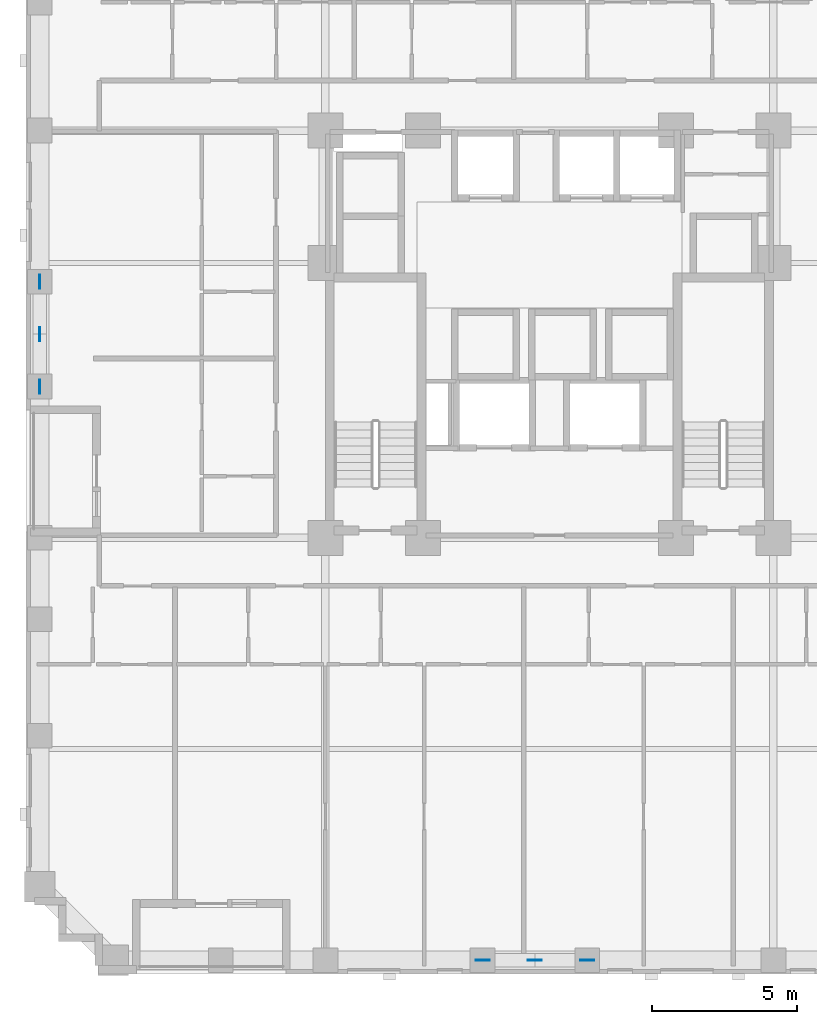
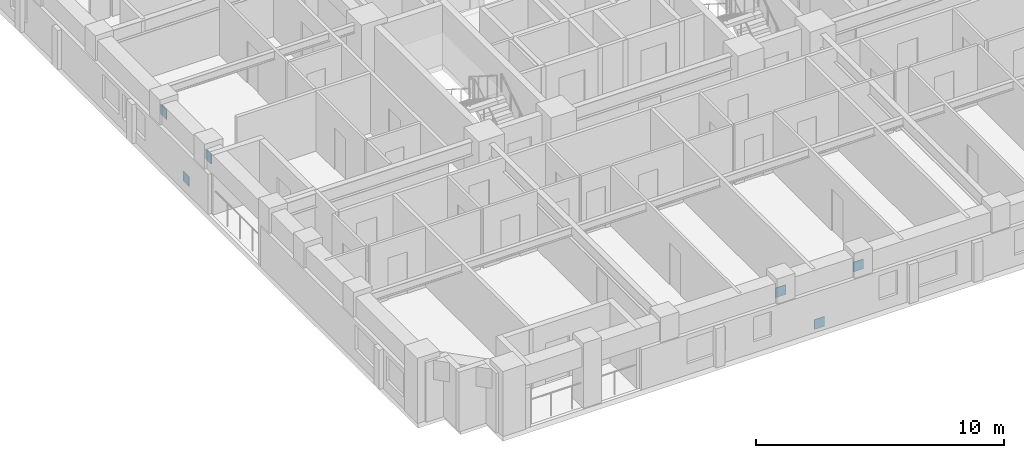
# One storey, part 10 of 14: 6 discrete accessories.
"""IFC4 building model written with IfcOpenShell, lengths in metres."""

import ifcopenshell
import ifcopenshell.guid

model = None  # the IFC model being written
_history = None  # IfcOwnerHistory: only IFC2X3 demands one
_inside = {}  # id of a spatial element -> (the spatial element, [elements in it])
_under = {}  # id of a project, library or spatial element -> (it, [spatial elements below it])
_declared = {}  # id of a project -> (the project, [libraries it declares])
_typed = {}  # id of a type object -> (the type object, [elements of that type])
_made_of = {}  # id of a material, layer set ... -> (it, [elements and type objects made of it])


def new_model(schema):
    """Start an empty IFC model of exactly this schema.

    Asked for "IFC4X3", IfcOpenShell would pick the latest addendum, in which some entities
    have other attributes; the version numbers below select the first issue.
    IFC2X3 requires an IfcOwnerHistory on every rooted entity: one is made here for all.
    """
    global model, _history
    if schema == "IFC4X3":
        model = ifcopenshell.file(schema_version=(4, 3, 0, 0))
    else:
        model = ifcopenshell.file(schema=schema)
    _inside.clear()
    _under.clear()
    _declared.clear()
    _typed.clear()
    _made_of.clear()
    _history = None
    if model.schema == "IFC2X3":
        org = make("IfcOrganization", Name="unknown")
        user = make(
            "IfcPersonAndOrganization",
            ThePerson=make("IfcPerson", FamilyName="unknown"),
            TheOrganization=org,
        )
        app = make(
            "IfcApplication",
            ApplicationDeveloper=org,
            Version="unknown",
            ApplicationFullName="unknown",
            ApplicationIdentifier="unknown",
        )
        _history = make(
            "IfcOwnerHistory",
            OwningUser=user,
            OwningApplication=app,
            ChangeAction="ADDED",
            CreationDate=0,
        )
    return model


def make(cls, **values):
    """One entity of the class cls with the attributes given. An attribute that is None is left unset."""
    return model.create_entity(
        cls, **{name: value for name, value in values.items() if value is not None}
    )


def rooted(cls, **values):
    """An entity with a GlobalId (a new one), such as an element, a storey or a relation."""
    return make(cls, GlobalId=ifcopenshell.guid.new(), OwnerHistory=_history, **values)


def si_unit(unit_type, name, prefix=None):
    """IfcSIUnit, for example si_unit("LENGTHUNIT", "METRE", prefix="MILLI")."""
    return make("IfcSIUnit", UnitType=unit_type, Prefix=prefix, Name=name)


def derived_unit(unit_type, elements):
    """IfcDerivedUnit: a product of units, each with its exponent."""
    return make(
        "IfcDerivedUnit",
        Elements=[
            make("IfcDerivedUnitElement", Unit=unit, Exponent=power)
            for unit, power in elements
        ],
        UnitType=unit_type,
    )


def assignment(units):
    """IfcUnitAssignment: the units of a project."""
    return None if units is None else make("IfcUnitAssignment", Units=units)


def point(xyz):
    """IfcCartesianPoint."""
    return None if xyz is None else make("IfcCartesianPoint", Coordinates=xyz)


def direction(xyz):
    """IfcDirection."""
    return None if xyz is None else make("IfcDirection", DirectionRatios=xyz)


def frame(location, z_axis=None, x_axis=None):
    """IfcAxis2Placement3D, a coordinate frame: its origin and axes. An axis left out is left unset."""
    return make(
        "IfcAxis2Placement3D",
        Location=point(location),
        Axis=direction(z_axis),
        RefDirection=direction(x_axis),
    )


def frame_2d(location, x_axis=None):
    """IfcAxis2Placement2D, a coordinate frame in the plane: its origin and x axis."""
    return make(
        "IfcAxis2Placement2D", Location=point(location), RefDirection=direction(x_axis)
    )


def origin():
    """The frame at (0, 0, 0) with its axes left unset."""
    return frame((0.0, 0.0, 0.0))


def origin_2d():
    """The frame at (0, 0) in the plane with its x axis left unset."""
    return frame_2d((0.0, 0.0))


def place(relative_to, where):
    """IfcLocalPlacement: puts the frame where relative to a parent placement (None: the world)."""
    return make(
        "IfcLocalPlacement", PlacementRelTo=relative_to, RelativePlacement=where
    )


def context(
    kind, dimensions, precision=None, world=None, true_north=None, identifier=None
):
    """IfcGeometricRepresentationContext, for example the 3D "Model" context."""
    return make(
        "IfcGeometricRepresentationContext",
        ContextIdentifier=identifier,
        ContextType=kind,
        CoordinateSpaceDimension=dimensions,
        Precision=precision,
        WorldCoordinateSystem=world,
        TrueNorth=true_north,
    )


def subcontext(parent, identifier, kind, view, scale=None):
    """IfcGeometricRepresentationSubContext, for example "Body" below "Model"."""
    return make(
        "IfcGeometricRepresentationSubContext",
        ContextIdentifier=identifier,
        ContextType=kind,
        ParentContext=parent,
        TargetScale=scale,
        TargetView=view,
    )


def project(units=None, contexts=None):
    """IfcProject with its units and contexts."""
    return rooted(
        "IfcProject",
        Name="project",
        RepresentationContexts=contexts,
        UnitsInContext=assignment(units),
    )


def spatial(cls, under=None, at=None, **own):
    """A site, building, storey or space (cls), placed at a placement, below another one or the project."""
    s = rooted(cls, ObjectPlacement=at, **own)
    if under is not None:
        _under.setdefault(under.id(), (under, []))[1].append(s)
    return s


def profile(cls, at=None, kind="AREA", **sizes):
    """A parametric profile (cls). Its sizes go by their IFC names, for example OverallWidth=200.0."""
    return make(cls, ProfileType=kind, Position=at, **sizes)


def rectangle(**sizes):
    """IfcRectangleProfileDef."""
    return profile("IfcRectangleProfileDef", **sizes)


def extrude(swept, where, along, depth):
    """IfcExtrudedAreaSolid: the profile swept, set in the frame where, extruded along a direction by depth."""
    return make(
        "IfcExtrudedAreaSolid",
        SweptArea=swept,
        Position=where,
        ExtrudedDirection=direction(along),
        Depth=depth,
    )


def shape(context_of_items, identifier, shape_type, items):
    """IfcShapeRepresentation: the items that make up one representation, for example the "Body"."""
    return make(
        "IfcShapeRepresentation",
        ContextOfItems=context_of_items,
        RepresentationIdentifier=identifier,
        RepresentationType=shape_type,
        Items=items,
    )


def material(Name=None, Category=None):
    """IfcMaterial."""
    return make("IfcMaterial", Name=Name, Category=Category)


def layer(
    of_material, thickness, ventilated=None, Name=None, Category=None, Priority=None
):
    """IfcMaterialLayer: one layer of a wall or slab, of a material (None: an air gap)."""
    return make(
        "IfcMaterialLayer",
        Material=of_material,
        LayerThickness=thickness,
        IsVentilated=ventilated,
        Name=Name,
        Category=Category,
        Priority=Priority,
    )


def layer_set(layers, Name=None):
    """IfcMaterialLayerSet."""
    return make("IfcMaterialLayerSet", MaterialLayers=layers, LayerSetName=Name)


def made_of(thing, what):
    """Note that an element or type object is made of a material, layer set ...; save() writes the relation."""
    if what is not None:
        _made_of.setdefault(what.id(), (what, []))[1].append(thing)
    return thing


def type_object(cls, material=None, **own):
    """A type object (cls), such as IfcWallType, which elements share."""
    return made_of(rooted(cls, **own), material)


def element(
    cls,
    number,
    at=None,
    inside=None,
    cuts=None,
    type_object=None,
    material=None,
    context=None,
    identifier="Body",
    shape_type=None,
    held_by="IfcProductDefinitionShape",
    body=None,
    shapes=None,
    **own,
):
    """One element of the class cls, such as IfcWall. Its Tag is "e" and its number.

    at: its placement. inside: the storey or other place that contains it. cuts: it is an
    opening in that element (IfcRelVoidsElement). A single representation is given by context,
    identifier, shape_type and body (its items); several are given by shapes. held_by: the class
    of the entity that holds the representations. save() writes the other relations.
    """
    e = rooted(cls, Tag="e%d" % number, ObjectPlacement=at, **own)
    if body is not None:
        shapes = [shape(context, identifier, shape_type, body)]
    if shapes is not None:
        e.Representation = make(held_by, Representations=shapes)
    if inside is not None:
        _inside.setdefault(inside.id(), (inside, []))[1].append(e)
    if cuts is not None:
        rooted(
            "IfcRelVoidsElement", RelatingBuildingElement=cuts, RelatedOpeningElement=e
        )
    if type_object is not None:
        _typed.setdefault(type_object.id(), (type_object, []))[1].append(e)
    return made_of(e, material)


def aggregate(whole, parts):
    """IfcRelAggregates: a whole, such as a stair, and the parts it consists of."""
    return rooted("IfcRelAggregates", RelatingObject=whole, RelatedObjects=parts)


def save(model, path):
    """Write the relations noted so far, then the file.

    IfcRelAggregates (storeys below a building ...), IfcRelContainedInSpatialStructure (elements
    in a storey), IfcRelDefinesByType, IfcRelAssociatesMaterial and IfcRelDeclares: one each for
    every whole, place, type object, material and project.
    """
    for whole, parts in _under.values():
        aggregate(whole, parts)
    for where, things in _inside.values():
        rooted(
            "IfcRelContainedInSpatialStructure",
            RelatedElements=things,
            RelatingStructure=where,
        )
    for kind, things in _typed.values():
        rooted("IfcRelDefinesByType", RelatedObjects=things, RelatingType=kind)
    for what, things in _made_of.values():
        rooted("IfcRelAssociatesMaterial", RelatedObjects=things, RelatingMaterial=what)
    for by, libraries in _declared.values():
        rooted("IfcRelDeclares", RelatingContext=by, RelatedDefinitions=libraries)
    model.write(path)


model = new_model("IFC4")

# Units and contexts
model_context = context("Model", 3, precision=1e-05, world=origin(), true_north=direction((0.0, 1.0)))
body_context = subcontext(model_context, "Body", "Model", "MODEL_VIEW")
ifc_project = project(units=[si_unit("LENGTHUNIT", "METRE"), si_unit("AREAUNIT", "SQUARE_METRE"), si_unit("VOLUMEUNIT", "CUBIC_METRE"), si_unit("PLANEANGLEUNIT", "RADIAN"), si_unit("MASSUNIT", "GRAM", prefix="KILO"), derived_unit("THERMALTRANSMITTANCEUNIT", [(si_unit("MASSUNIT", "GRAM", prefix="KILO"), 1), (si_unit("TIMEUNIT", "SECOND"), -3), (si_unit("THERMODYNAMICTEMPERATUREUNIT", "KELVIN"), -1)])], contexts=[model_context])

# Site, building, storey
site_placement = place(None, origin())
site = spatial("IfcSite", under=ifc_project, at=site_placement, CompositionType="ELEMENT")
building_placement = place(site_placement, origin())
building = spatial("IfcBuilding", under=site, at=building_placement, Name="Korrvale Station Residences", CompositionType="ELEMENT")
storey_placement = place(building_placement, frame((0.0, 0.0, 57.800048828125)))
storey = spatial("IfcBuildingStorey", under=building, at=storey_placement, Name="L15", CompositionType="ELEMENT", Elevation=57.800048828125)

# Discrete accessories
ifc_material = material(Name="Steel S355", Category="steel")
ifc_layer = layer(ifc_material, 0.02490234375, Name="Steel S355")
ifc_layer_set = layer_set([ifc_layer], Name="Steel S355")
discrete_accessory_type = type_object("IfcDiscreteAccessoryType", Name="ACC-GUSSET-25", PredefinedType="BRACKET", material=ifc_layer_set)
for number, where, z_axis, x_axis, name in (
    (1, (25.0, 0.47998046875, -0.219970703125), (0.0, 0.0, 1.0), (1.0, 0.0, 0.0), "L15 S Brace End Gusset Connection M"),
    (2, (23.199951171875, 0.47998046875, 1.969970703125), (0.0, 0.0, 1.0), (1.0, 0.0, 0.0), "L15 S Brace End Gusset Connection A"),
    (3, (26.800048828125, 0.47998046875, 1.969970703125), (0.0, 0.0, 1.0), (1.0, 0.0, 0.0), "L15 S Brace End Gusset Connection B"),
    (4, (7.97998046875, 22.0, -0.219970703125), (0.0, 0.0, 1.0), (0.0, 1.0, 0.0), "L15 W Brace End Gusset Connection M"),
    (5, (7.97998046875, 20.199951171875, 1.969970703125), (0.0, 0.0, 1.0), (0.0, 1.0, 0.0), "L15 W Brace End Gusset Connection A"),
    (6, (7.97998046875, 23.800048828125, 1.969970703125), (0.0, 0.0, 1.0), (0.0, 1.0, 0.0), "L15 W Brace End Gusset Connection B"),
):
    element("IfcDiscreteAccessory", number, at=place(storey_placement, frame(where, z_axis=z_axis, x_axis=x_axis)), inside=storey, type_object=discrete_accessory_type, Name=name, PredefinedType="BRACKET", context=body_context, shape_type="SweptSolid", body=[
        extrude(rectangle(XDim=0.47998046875, YDim=0.02490234375, at=origin_2d()), origin(), (0.0, 0.0, 1.0), 0.47998046875),
    ])

save(model, "model.ifc")
